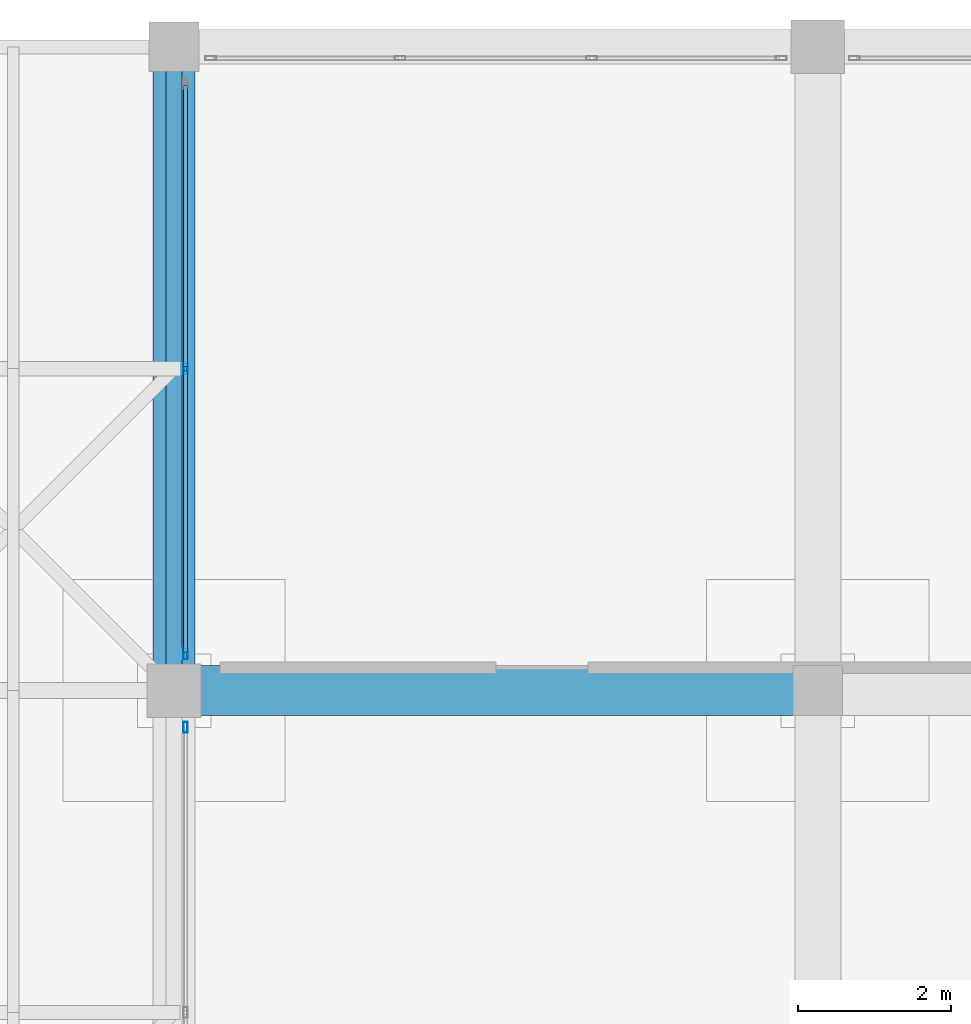
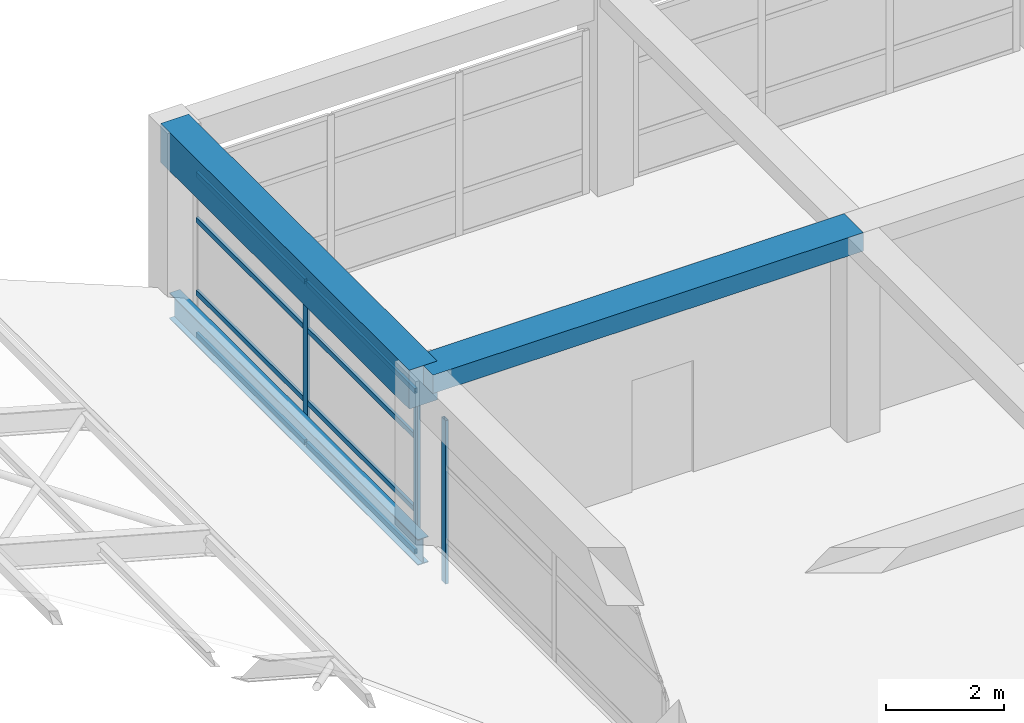
# One storey, part 45 of 85: 11 members, 3 beams, 2 elements without a shape of their own.
"""IFC4 building model written with IfcOpenShell, lengths in metres."""

from ifc_helpers import new_model, si_unit, direction, frame, origin, origin_2d, place, context, subcontext, project, spatial, rectangle, hollow_rectangle, i_section, extrude, material, material_profile, profile_set, type_object, element, aggregate, save


model = new_model("IFC4")

# Units and contexts
model_context = context("Model", 3, precision=1e-05, world=origin(), true_north=direction((0.0, 1.0)))
body_context = subcontext(model_context, "Body", "Model", "MODEL_VIEW")
ifc_project = project(units=[si_unit("LENGTHUNIT", "METRE"), si_unit("AREAUNIT", "SQUARE_METRE"), si_unit("VOLUMEUNIT", "CUBIC_METRE"), si_unit("PLANEANGLEUNIT", "RADIAN"), si_unit("MASSUNIT", "GRAM", prefix="KILO")], contexts=[model_context])

# Site, building, storey
site_placement = place(None, origin())
site = spatial("IfcSite", under=ifc_project, at=site_placement, CompositionType="ELEMENT")
building_placement = place(site_placement, origin())
building = spatial("IfcBuilding", under=site, at=building_placement, Name="Almacenes y Pasaje Nevantli", CompositionType="ELEMENT")
storey_placement = place(building_placement, frame((0.0, 0.0, 22.199951171875)))
storey = spatial("IfcBuildingStorey", under=building, at=storey_placement, Name="L05", CompositionType="ELEMENT", Elevation=22.199951171875)

# Beams
ifc_material_1 = material(Name="Concrete C35/45", Category="concrete")
ifc_material_profile_1 = material_profile(ifc_material_1, rectangle(XDim=0.550048828125, YDim=0.800048828125, at=origin_2d()), Name="RC-BM-550x800")
ifc_profile_set_1 = profile_set([ifc_material_profile_1], Name="Concrete C35/45")
beam_type_1 = type_object("IfcBeamType", Name="BM-RC-550x800", PredefinedType="BEAM", material=ifc_profile_set_1)
beam_1_placement = place(storey_placement, frame((92.39990234375, 109.199951171875, 3.820068359375), z_axis=(0.0, 1.0, 0.0), x_axis=(-1.0, 0.0, 0.0)))
element("IfcBeam", 1, at=beam_1_placement, inside=storey, type_object=beam_type_1, Name="L05 North-South Reinforced Concrete Beam #3477", PredefinedType="BEAM", context=body_context, shape_type="SweptSolid", body=[
    extrude(rectangle(XDim=0.550048828125, YDim=0.800048828125, at=origin_2d()), origin(), (0.0, 0.0, 1.0), 8.400146484375),
])
ifc_material_2 = material(Name="Concrete C35/45", Category="concrete")
ifc_material_profile_2 = material_profile(ifc_material_2, rectangle(XDim=0.64990234375, YDim=0.3798828125, at=origin_2d()), Name="RC-BM-650x380")
ifc_profile_set_2 = profile_set([ifc_material_profile_2], Name="Concrete C35/45")
beam_type_2 = type_object("IfcBeamType", Name="BM-RC-650x380", PredefinedType="BEAM", material=ifc_profile_set_2)
beam_2_placement = place(storey_placement, frame((92.39990234375, 109.199951171875, 4.030029296875), z_axis=(1.0, 0.0, 0.0), x_axis=(0.0, 1.0, 0.0)))
element("IfcBeam", 2, at=beam_2_placement, inside=storey, type_object=beam_type_2, Name="L05 East-West Reinforced Concrete Beam #3396", PredefinedType="BEAM", context=body_context, shape_type="SweptSolid", body=[
    extrude(rectangle(XDim=0.64990234375, YDim=0.3798828125, at=origin_2d()), origin(), (0.0, 0.0, 1.0), 8.400146484375),
])
ifc_material_3 = material(Name="Steel ASTM A992", Category="steel")
ifc_material_profile_3 = material_profile(ifc_material_3, i_section(OverallWidth=0.208984375, OverallDepth=0.532958984375, WebThickness=0.01025390625, FlangeThickness=0.015625, at=origin_2d()), Name="IR 533x92.5")
ifc_profile_set_3 = profile_set([ifc_material_profile_3], Name="Steel ASTM A992")
beam_type_3 = type_object("IfcBeamType", Name="BM-STL-IR-533x92p5", PredefinedType="BEAM", material=ifc_profile_set_3)
beam_3_placement = place(storey_placement, frame((92.39990234375, 109.199951171875, 0.400146484375), z_axis=(0.0, 1.0, 0.0), x_axis=(-1.0, 0.0, 0.0)))
element("IfcBeam", 3, at=beam_3_placement, inside=storey, type_object=beam_type_3, Name="L05 Arcade Barrel Vault Eave Steel Girder #2.14", PredefinedType="BEAM", context=body_context, shape_type="SweptSolid", body=[
    extrude(i_section(OverallWidth=0.208984375, OverallDepth=0.532958984375, WebThickness=0.01025390625, FlangeThickness=0.015625, at=origin_2d()), origin(), (0.0, 0.0, 1.0), 8.400146484375),
])

# Curtain wall, member
ifc_material_4 = material(Name="Thermally Broken Aluminium and Low-E Glass", Category="aluminium")
curtain_wall_type = type_object("IfcCurtainWallType", Name="CW-UNIT-PODIUM", PredefinedType="USERDEFINED", material=ifc_material_4)
curtain_wall_1_placement = place(storey_placement, origin())
curtain_wall_1 = element("IfcCurtainWall", 4, at=curtain_wall_1_placement, inside=storey, type_object=curtain_wall_type, Name="L05 Sky-Lobby West Arcade View Curtain Wall Bay 13", ObjectType="UNITIZED CURTAIN WALL", PredefinedType="USERDEFINED")
ifc_material_5 = material(Name="Thermally Broken Anodized Aluminium", Category="aluminium")
ifc_material_profile_4 = material_profile(ifc_material_5, hollow_rectangle(XDim=0.054931640625, YDim=0.139892578125, WallThickness=0.00341796875, at=origin_2d()), Name="ALU-MUL-55x140")
ifc_profile_set_4 = profile_set([ifc_material_profile_4], Name="Thermally Broken Anodized Aluminium")
member_type_1 = type_object("IfcMemberType", Name="CW-MUL-160", PredefinedType="MULLION", material=ifc_profile_set_4)
member_1_placement = place(storey_placement, frame((92.550048828125, 108.722412109375, 0.0), z_axis=(0.0, 0.0, 1.0), x_axis=(-1.0, 0.0, 0.0)))
member_1 = element("IfcMember", 5, at=member_1_placement, type_object=member_type_1, Name="CW-L05-100 mullion 3", PredefinedType="MULLION", context=body_context, shape_type="SweptSolid", body=[
    extrude(hollow_rectangle(XDim=0.054931640625, YDim=0.139892578125, WallThickness=0.00341796875, at=origin_2d()), origin(), (0.0, 0.0, 1.0), 3.3701171875),
])
aggregate(curtain_wall_1, [member_1])

# Curtain wall, members
curtain_wall_2_placement = place(storey_placement, origin())
curtain_wall_2 = element("IfcCurtainWall", 6, at=curtain_wall_2_placement, inside=storey, type_object=curtain_wall_type, Name="L05 Sky-Lobby West Arcade View Curtain Wall Bay 14", ObjectType="UNITIZED CURTAIN WALL", PredefinedType="USERDEFINED")
member_2_placement = place(storey_placement, frame((92.550048828125, 109.677490234375, 0.0), z_axis=(0.0, 0.0, 1.0), x_axis=(-1.0, 0.0, 0.0)))
member_2 = element("IfcMember", 7, at=member_2_placement, type_object=member_type_1, Name="CW-L05-101 mullion 1", PredefinedType="MULLION", context=body_context, shape_type="SweptSolid", body=[
    extrude(hollow_rectangle(XDim=0.054931640625, YDim=0.139892578125, WallThickness=0.00341796875, at=origin_2d()), origin(), (0.0, 0.0, 1.0), 3.3701171875),
])
member_3_placement = place(storey_placement, frame((92.550048828125, 113.39990234375, 0.0), z_axis=(0.0, 0.0, 1.0), x_axis=(-1.0, 0.0, 0.0)))
member_3 = element("IfcMember", 8, at=member_3_placement, type_object=member_type_1, Name="CW-L05-101 mullion 2", PredefinedType="MULLION", context=body_context, shape_type="SweptSolid", body=[
    extrude(hollow_rectangle(XDim=0.054931640625, YDim=0.139892578125, WallThickness=0.00341796875, at=origin_2d()), origin(), (0.0, 0.0, 1.0), 3.3701171875),
])
ifc_material_6 = material(Name="Thermally Broken Anodized Aluminium", Category="aluminium")
ifc_material_profile_5 = material_profile(ifc_material_6, hollow_rectangle(XDim=0.054931640625, YDim=0.10498046875, WallThickness=0.003173828125, at=origin_2d()), Name="ALU-TRN-55x105")
ifc_profile_set_5 = profile_set([ifc_material_profile_5], Name="Thermally Broken Anodized Aluminium")
member_type_2 = type_object("IfcMemberType", Name="CW-TRN-120", PredefinedType="USERDEFINED", material=ifc_profile_set_5)
member_4_placement = place(storey_placement, frame((92.550048828125, 109.705078125, 0.027587890625), z_axis=(0.0, 1.0, 0.0), x_axis=(-1.0, 0.0, 0.0)))
member_4 = element("IfcMember", 9, at=member_4_placement, type_object=member_type_2, Name="CW-L05-101 transom 1.1", ObjectType="TRANSOM", PredefinedType="USERDEFINED", context=body_context, shape_type="SweptSolid", body=[
    extrude(hollow_rectangle(XDim=0.054931640625, YDim=0.10498046875, WallThickness=0.003173828125, at=origin_2d()), origin(), (0.0, 0.0, 1.0), 3.66748046875),
])
member_5_placement = place(storey_placement, frame((92.550048828125, 109.705078125, 0.900146484375), z_axis=(0.0, 1.0, 0.0), x_axis=(-1.0, 0.0, 0.0)))
member_5 = element("IfcMember", 10, at=member_5_placement, type_object=member_type_2, Name="CW-L05-101 transom 1.2", ObjectType="TRANSOM", PredefinedType="USERDEFINED", context=body_context, shape_type="SweptSolid", body=[
    extrude(hollow_rectangle(XDim=0.054931640625, YDim=0.10498046875, WallThickness=0.003173828125, at=origin_2d()), origin(), (0.0, 0.0, 1.0), 3.66748046875),
])
member_6_placement = place(storey_placement, frame((92.550048828125, 109.705078125, 2.400146484375), z_axis=(0.0, 1.0, 0.0), x_axis=(-1.0, 0.0, 0.0)))
member_6 = element("IfcMember", 11, at=member_6_placement, type_object=member_type_2, Name="CW-L05-101 transom 1.3", ObjectType="TRANSOM", PredefinedType="USERDEFINED", context=body_context, shape_type="SweptSolid", body=[
    extrude(hollow_rectangle(XDim=0.054931640625, YDim=0.10498046875, WallThickness=0.003173828125, at=origin_2d()), origin(), (0.0, 0.0, 1.0), 3.66748046875),
])
member_7_placement = place(storey_placement, frame((92.550048828125, 109.705078125, 3.342529296875), z_axis=(0.0, 1.0, 0.0), x_axis=(-1.0, 0.0, 0.0)))
member_7 = element("IfcMember", 12, at=member_7_placement, type_object=member_type_2, Name="CW-L05-101 transom 1.4", ObjectType="TRANSOM", PredefinedType="USERDEFINED", context=body_context, shape_type="SweptSolid", body=[
    extrude(hollow_rectangle(XDim=0.054931640625, YDim=0.10498046875, WallThickness=0.003173828125, at=origin_2d()), origin(), (0.0, 0.0, 1.0), 3.66748046875),
])
member_8_placement = place(storey_placement, frame((92.550048828125, 113.427490234375, 0.027587890625), z_axis=(0.0, 1.0, 0.0), x_axis=(-1.0, 0.0, 0.0)))
member_8 = element("IfcMember", 13, at=member_8_placement, type_object=member_type_2, Name="CW-L05-101 transom 2.1", ObjectType="TRANSOM", PredefinedType="USERDEFINED", context=body_context, shape_type="SweptSolid", body=[
    extrude(hollow_rectangle(XDim=0.054931640625, YDim=0.10498046875, WallThickness=0.003173828125, at=origin_2d()), origin(), (0.0, 0.0, 1.0), 3.66748046875),
])
member_9_placement = place(storey_placement, frame((92.550048828125, 113.427490234375, 0.900146484375), z_axis=(0.0, 1.0, 0.0), x_axis=(-1.0, 0.0, 0.0)))
member_9 = element("IfcMember", 14, at=member_9_placement, type_object=member_type_2, Name="CW-L05-101 transom 2.2", ObjectType="TRANSOM", PredefinedType="USERDEFINED", context=body_context, shape_type="SweptSolid", body=[
    extrude(hollow_rectangle(XDim=0.054931640625, YDim=0.10498046875, WallThickness=0.003173828125, at=origin_2d()), origin(), (0.0, 0.0, 1.0), 3.66748046875),
])
member_10_placement = place(storey_placement, frame((92.550048828125, 113.427490234375, 2.400146484375), z_axis=(0.0, 1.0, 0.0), x_axis=(-1.0, 0.0, 0.0)))
member_10 = element("IfcMember", 15, at=member_10_placement, type_object=member_type_2, Name="CW-L05-101 transom 2.3", ObjectType="TRANSOM", PredefinedType="USERDEFINED", context=body_context, shape_type="SweptSolid", body=[
    extrude(hollow_rectangle(XDim=0.054931640625, YDim=0.10498046875, WallThickness=0.003173828125, at=origin_2d()), origin(), (0.0, 0.0, 1.0), 3.66748046875),
])
member_11_placement = place(storey_placement, frame((92.550048828125, 113.427490234375, 3.342529296875), z_axis=(0.0, 1.0, 0.0), x_axis=(-1.0, 0.0, 0.0)))
member_11 = element("IfcMember", 16, at=member_11_placement, type_object=member_type_2, Name="CW-L05-101 transom 2.4", ObjectType="TRANSOM", PredefinedType="USERDEFINED", context=body_context, shape_type="SweptSolid", body=[
    extrude(hollow_rectangle(XDim=0.054931640625, YDim=0.10498046875, WallThickness=0.003173828125, at=origin_2d()), origin(), (0.0, 0.0, 1.0), 3.66748046875),
])
aggregate(curtain_wall_2, [member_2, member_3, member_4, member_5, member_6, member_7, member_8, member_9, member_10, member_11])

save(model, "model.ifc")
